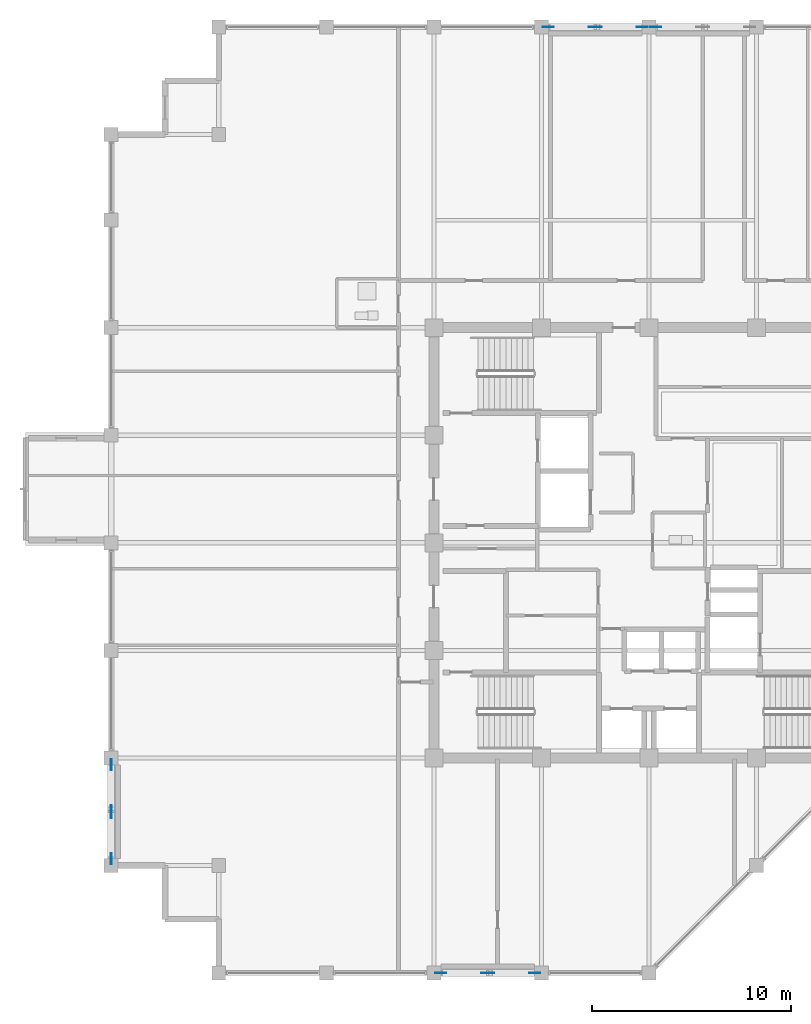
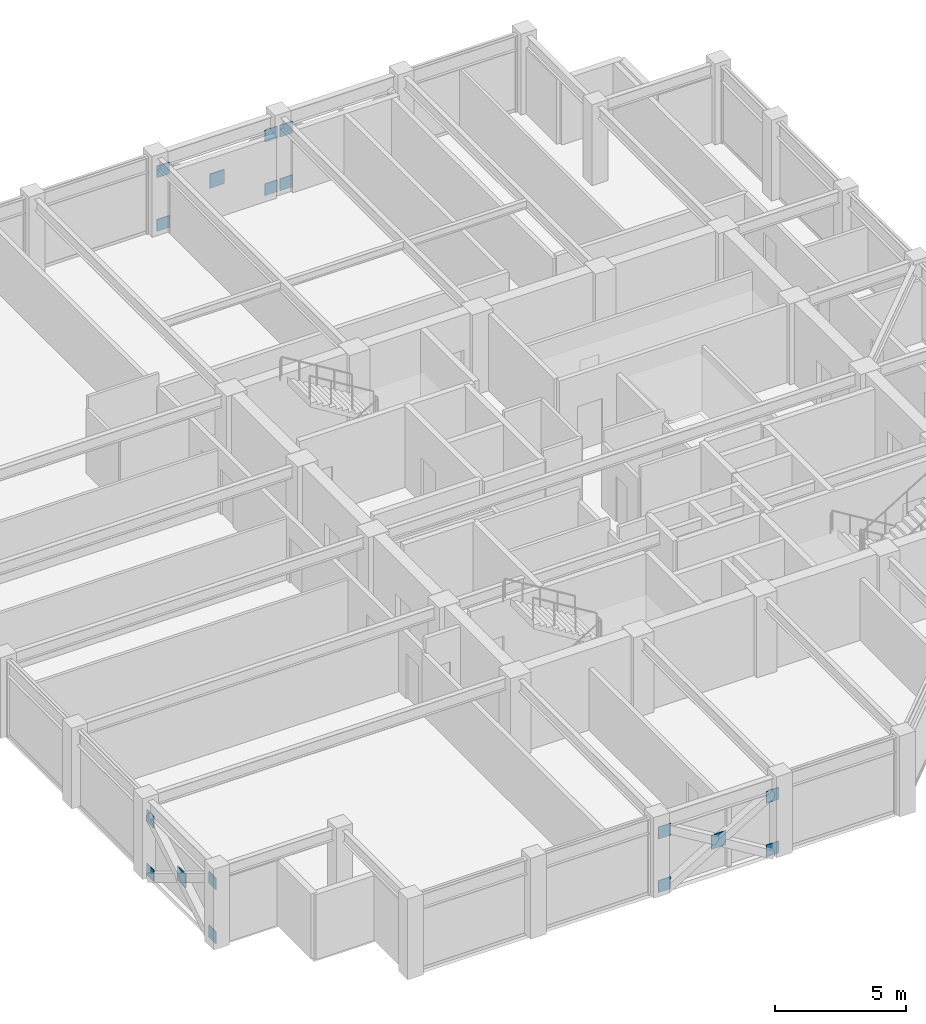
# One storey, part 23 of 31: 17 plates.
"""IFC4 building model written with IfcOpenShell, lengths in metres."""

from ifc_helpers import new_model, si_unit, direction, frame, origin, origin_2d, place, context, subcontext, project, spatial, rectangle, extrude, material, layer, layer_set, type_object, element, save


model = new_model("IFC4")

# Units and contexts
model_context = context("Model", 3, precision=1e-05, world=origin(), true_north=direction((0.0, 1.0)))
body_context = subcontext(model_context, "Body", "Model", "MODEL_VIEW")
ifc_project = project(units=[si_unit("LENGTHUNIT", "METRE"), si_unit("AREAUNIT", "SQUARE_METRE"), si_unit("VOLUMEUNIT", "CUBIC_METRE"), si_unit("PLANEANGLEUNIT", "RADIAN"), si_unit("MASSUNIT", "GRAM", prefix="KILO")], contexts=[model_context])

# Site, building, storey
site_placement = place(None, origin())
site = spatial("IfcSite", under=ifc_project, at=site_placement, CompositionType="ELEMENT")
building_placement = place(site_placement, origin())
building = spatial("IfcBuilding", under=site, at=building_placement, Name="Surkhivell Harbour Commons", CompositionType="ELEMENT")
storey_placement = place(building_placement, frame((0.0, 0.0, 318.75)))
storey = spatial("IfcBuildingStorey", under=building, at=storey_placement, Name="L83", CompositionType="ELEMENT", Elevation=318.75)

# Plates
ifc_material = material(Name="Steel S460", Category="steel")
ifc_layer_1 = layer(ifc_material, 0.035888671875)
ifc_layer_set_1 = layer_set([ifc_layer_1], Name="Steel S460")
plate_type_1 = type_object("IfcPlateType", Name="PLT-GUS-550", PredefinedType="USERDEFINED", material=ifc_layer_set_1)
for number, where, z_axis, x_axis, name in (
    (1, (-5.06494140625, 25.89990234375, -0.07470703125), (0.0, 0.0, 1.0), (1.0, 0.0, 0.0), "L83 Perimeter Mega-Brace MB- Corner Gusset N-1"),
    (2, (-0.3349609375, 25.89990234375, -0.07470703125), (0.0, 0.0, 1.0), (1.0, 0.0, 0.0), "L83 Perimeter Mega-Brace MB- Corner Gusset N-2"),
    (3, (-5.06494140625, 25.89990234375, 2.41357421875), (0.0, 0.0, 1.0), (1.0, 0.0, 0.0), "L83 Perimeter Mega-Brace MB- Corner Gusset N-3"),
    (4, (-0.3349609375, 25.89990234375, 2.41357421875), (0.0, 0.0, 1.0), (1.0, 0.0, 0.0), "L83 Perimeter Mega-Brace MB- Corner Gusset N-4"),
    (5, (0.3349609375, 25.89990234375, -0.07470703125), (0.0, 0.0, 1.0), (1.0, 0.0, 0.0), "L83 Perimeter Mega-Brace MB- Corner Gusset N2-1"),
    (6, (0.3349609375, 25.89990234375, 2.41357421875), (0.0, 0.0, 1.0), (1.0, 0.0, 0.0), "L83 Perimeter Mega-Brace MB- Corner Gusset N2-3"),
    (7, (-10.465087890625, -21.60009765625, -0.07470703125), (0.0, 0.0, 1.0), (1.0, 0.0, 0.0), "L83 Perimeter Mega-Brace MB- Corner Gusset S-1"),
    (8, (-5.735107421875, -21.60009765625, -0.07470703125), (0.0, 0.0, 1.0), (1.0, 0.0, 0.0), "L83 Perimeter Mega-Brace MB- Corner Gusset S-2"),
    (9, (-10.465087890625, -21.60009765625, 2.41357421875), (0.0, 0.0, 1.0), (1.0, 0.0, 0.0), "L83 Perimeter Mega-Brace MB- Corner Gusset S-3"),
    (10, (-5.735107421875, -21.60009765625, 2.41357421875), (0.0, 0.0, 1.0), (1.0, 0.0, 0.0), "L83 Perimeter Mega-Brace MB- Corner Gusset S-4"),
    (11, (-27.0, -15.864990234375, -0.07470703125), (0.0, 0.0, 1.0), (0.0, 1.0, 0.0), "L83 Perimeter Mega-Brace MB- Corner Gusset W-1"),
    (12, (-27.0, -11.135009765625, -0.07470703125), (0.0, 0.0, 1.0), (0.0, 1.0, 0.0), "L83 Perimeter Mega-Brace MB- Corner Gusset W-2"),
    (13, (-27.0, -15.864990234375, 2.41357421875), (0.0, 0.0, 1.0), (0.0, 1.0, 0.0), "L83 Perimeter Mega-Brace MB- Corner Gusset W-3"),
    (14, (-27.0, -11.135009765625, 2.41357421875), (0.0, 0.0, 1.0), (0.0, 1.0, 0.0), "L83 Perimeter Mega-Brace MB- Corner Gusset W-4"),
):
    element("IfcPlate", number, at=place(storey_placement, frame(where, z_axis=z_axis, x_axis=x_axis)), inside=storey, type_object=plate_type_1, Name=name, ObjectType="GUSSET_PLATE", PredefinedType="USERDEFINED", context=body_context, shape_type="SweptSolid", body=[
        extrude(rectangle(XDim=0.550048828125, YDim=0.035888671875, at=origin_2d()), origin(), (0.0, 0.0, 1.0), 0.550048828125),
    ])
ifc_layer_2 = layer(ifc_material, 0.044921875)
ifc_layer_set_2 = layer_set([ifc_layer_2], Name="Steel S460")
plate_type_2 = type_object("IfcPlateType", Name="PLT-GUS-650", PredefinedType="USERDEFINED", material=ifc_layer_set_2)
for number, where, z_axis, x_axis, name in (
    (15, (-2.699951171875, 25.89990234375, 1.11962890625), (0.0, 0.0, 1.0), (1.0, 0.0, 0.0), "L83 Perimeter Mega-Brace MB- Central Crossing Gusset N"),
    (16, (-8.10009765625, -21.60009765625, 1.11962890625), (0.0, 0.0, 1.0), (1.0, 0.0, 0.0), "L83 Perimeter Mega-Brace MB- Central Crossing Gusset S"),
    (17, (-27.0, -13.5, 1.11962890625), (0.0, 0.0, 1.0), (0.0, 1.0, 0.0), "L83 Perimeter Mega-Brace MB- Central Crossing Gusset W"),
):
    element("IfcPlate", number, at=place(storey_placement, frame(where, z_axis=z_axis, x_axis=x_axis)), inside=storey, type_object=plate_type_2, Name=name, ObjectType="GUSSET_PLATE", PredefinedType="USERDEFINED", context=body_context, shape_type="SweptSolid", body=[
        extrude(rectangle(XDim=0.64990234375, YDim=0.044921875, at=origin_2d()), origin(), (0.0, 0.0, 1.0), 0.64990234375),
    ])

save(model, "model.ifc")
